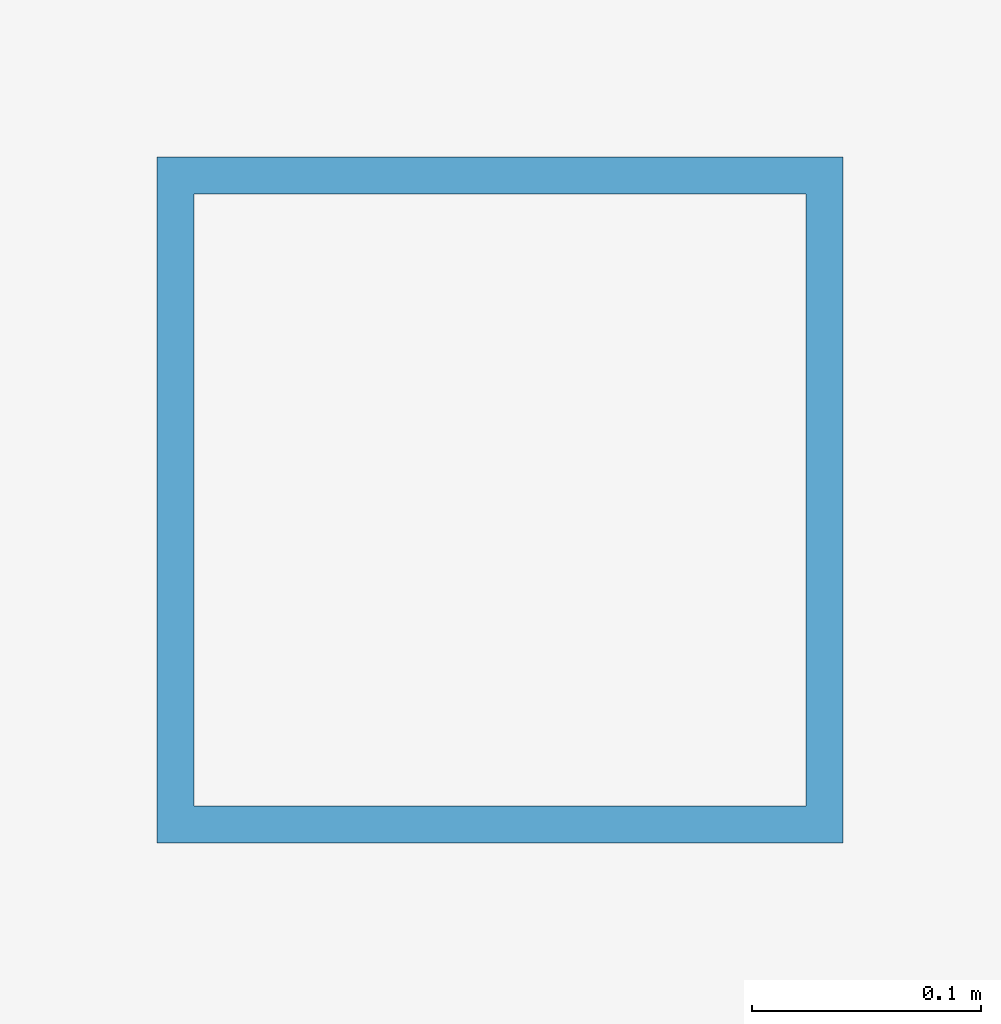
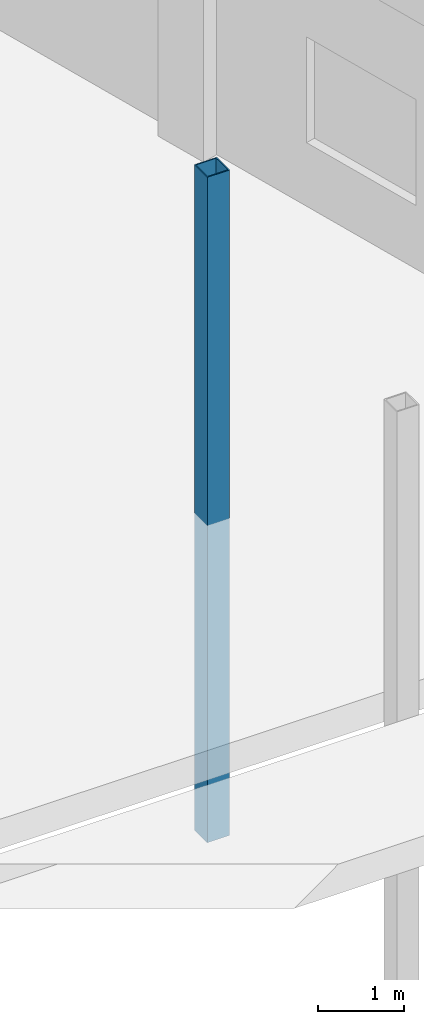
# One storey, part 16 of 47: 1 member.
"""IFC4 building model written with IfcOpenShell, lengths in metres."""

from ifc_helpers import new_model, si_unit, direction, frame, origin, origin_2d, place, context, subcontext, project, spatial, hollow_rectangle, extrude, material, material_profile, profile_set, type_object, element, save


model = new_model("IFC4")

# Units and contexts
model_context = context("Model", 3, precision=1e-05, world=origin(), true_north=direction((0.0, 1.0)))
body_context = subcontext(model_context, "Body", "Model", "MODEL_VIEW")
ifc_project = project(units=[si_unit("LENGTHUNIT", "METRE"), si_unit("AREAUNIT", "SQUARE_METRE"), si_unit("VOLUMEUNIT", "CUBIC_METRE"), si_unit("PLANEANGLEUNIT", "RADIAN"), si_unit("MASSUNIT", "GRAM", prefix="KILO")], contexts=[model_context])

# Site, building, storey
site_placement = place(None, origin())
site = spatial("IfcSite", under=ifc_project, at=site_placement, CompositionType="ELEMENT")
building_placement = place(site_placement, origin())
building = spatial("IfcBuilding", under=site, at=building_placement, Name="Ventoquebrada Cableway Terminal", CompositionType="ELEMENT")
storey_placement = place(building_placement, origin())
storey = spatial("IfcBuildingStorey", under=building, at=storey_placement, Name="L00", CompositionType="ELEMENT", Elevation=0.0)

# Member
ifc_material = material(Name="Steel ASTM A500 Grade C", Category="steel")
ifc_material_profile = material_profile(ifc_material, hollow_rectangle(XDim=0.300048828125, YDim=0.300048828125, WallThickness=0.01611328125, at=origin_2d()), Name="HSS300X300X16")
ifc_profile_set = profile_set([ifc_material_profile], Name="Steel ASTM A500 Grade C")
member_type = type_object("IfcMemberType", Name="PST-GS01", PredefinedType="STRUT", material=ifc_profile_set)
member_placement = place(storey_placement, frame((46.800048828125, 68.39990234375, -4.5), z_axis=(0.0, 0.0, 1.0), x_axis=(1.0, 0.0, 0.0)))
element("IfcMember", 1, at=member_placement, inside=storey, type_object=member_type, Name="Plaza canopy support post CN-PS-0556", PredefinedType="STRUT", context=body_context, shape_type="SweptSolid", body=[
    extrude(hollow_rectangle(XDim=0.300048828125, YDim=0.300048828125, WallThickness=0.01611328125, at=origin_2d()), origin(), (0.0, 0.0, 1.0), 9.431884765625),
])

save(model, "model.ifc")
